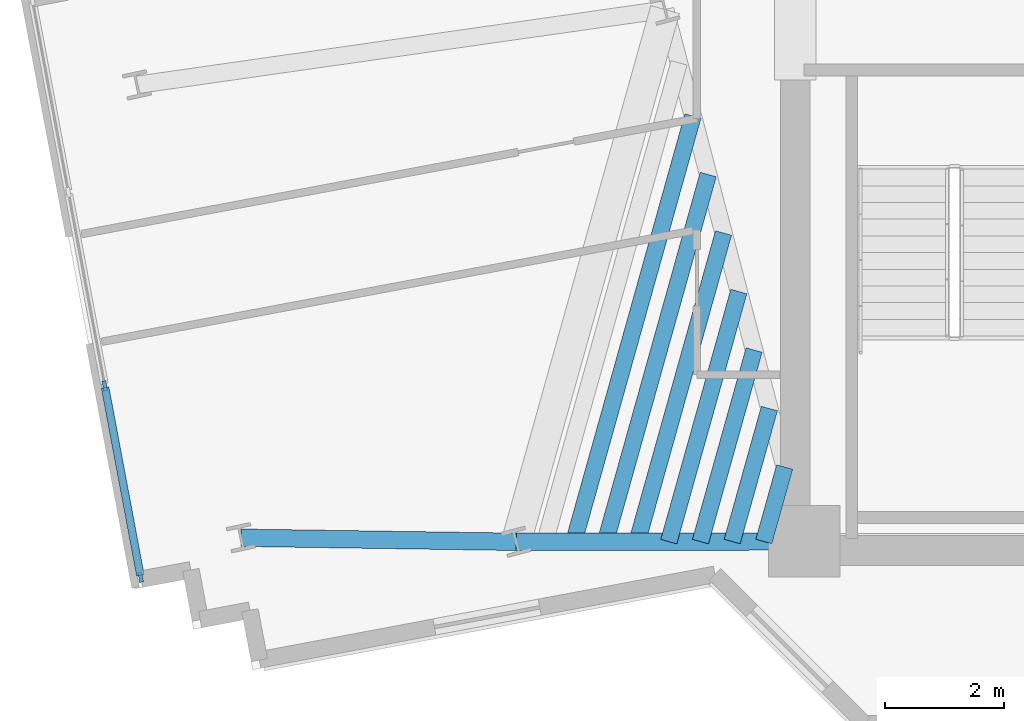
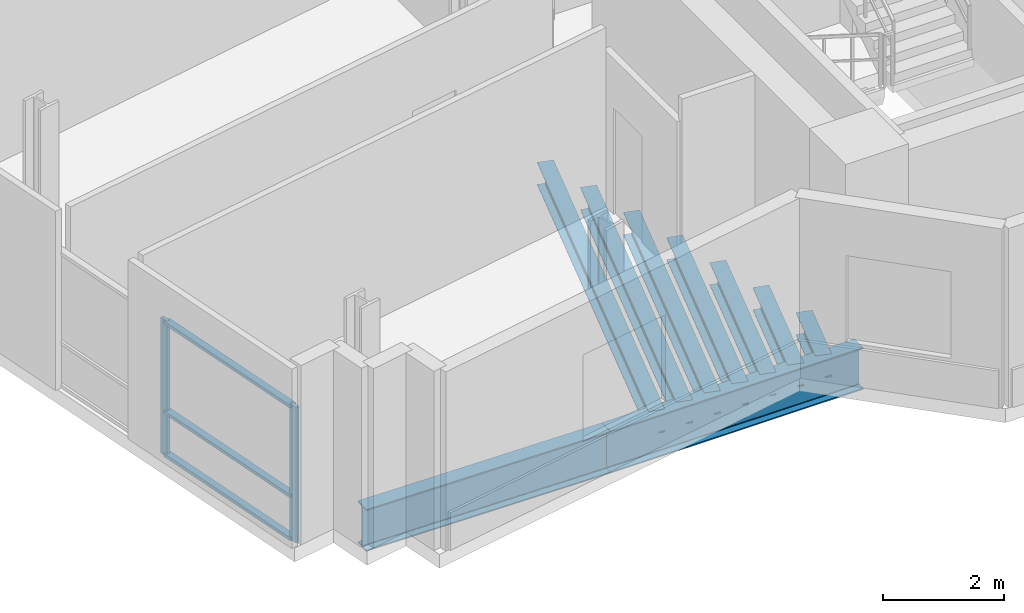
# One storey, part 2 of 16: 9 beams, 5 members, 1 element without a shape of its own.
"""IFC4 building model written with IfcOpenShell, lengths in metres."""

from ifc_helpers import new_model, si_unit, direction, frame, origin, origin_2d, place, context, subcontext, project, spatial, rectangle, i_section, extrude, source, transform, mapped, material, layer, layer_set, material_profile, profile_set, type_object, element, aggregate, save


model = new_model("IFC4")

# Units and contexts
model_context = context("Model", 3, precision=1e-05, world=origin(), true_north=direction((0.0, 1.0)))
body_context = subcontext(model_context, "Body", "Model", "MODEL_VIEW")
ifc_project = project(units=[si_unit("LENGTHUNIT", "METRE"), si_unit("AREAUNIT", "SQUARE_METRE"), si_unit("VOLUMEUNIT", "CUBIC_METRE"), si_unit("PLANEANGLEUNIT", "RADIAN"), si_unit("MASSUNIT", "GRAM", prefix="KILO")], contexts=[model_context])

# Site, building, storey
site_placement = place(None, origin())
site = spatial("IfcSite", under=ifc_project, at=site_placement, CompositionType="ELEMENT")
building_placement = place(site_placement, origin())
building = spatial("IfcBuilding", under=site, at=building_placement, Name="Zahravan Cultural Tower", CompositionType="ELEMENT")
storey_placement = place(building_placement, frame((0.0, 0.0, 147.300048828125)))
storey = spatial("IfcBuildingStorey", under=building, at=storey_placement, Name="L33", CompositionType="ELEMENT", Elevation=147.300048828125)

# Beams
ifc_material_1 = material(Name="Steel ASTM A992 Grade 50", Category="steel")
ifc_material_profile_1 = material_profile(ifc_material_1, i_section(OverallWidth=0.29296875, OverallDepth=0.845947265625, WebThickness=0.015380859375, FlangeThickness=0.0244140625, FilletRadius=0.02001953125, at=origin_2d()), Name="W33X141")
ifc_profile_set_1 = profile_set([ifc_material_profile_1], Name="Steel ASTM A992 Grade 50")
beam_type_1 = type_object("IfcBeamType", Name="BM-G-W33X141", PredefinedType="BEAM", material=ifc_profile_set_1)
shared_shape_1 = source(origin(), body_context, "Body", "SweptSolid", [
    extrude(i_section(OverallWidth=0.29296875, OverallDepth=0.845947265625, WebThickness=0.015380859375, FlangeThickness=0.0244140625, FilletRadius=0.02001953125, at=origin_2d()), origin(), (0.0, 0.0, 1.0), 4.834716796875),
])
beam_1_placement = place(storey_placement, frame((21.64990234375, 17.800048828125, -0.703125), z_axis=(-0.99999920313, -0.001262433979, 0.0), x_axis=(0.001262433979, -0.99999920313, 0.0)))
element("IfcBeam", 1, at=beam_1_placement, inside=storey, type_object=beam_type_1, Name="L33 Beam BG-L33-08", PredefinedType="BEAM", context=body_context, shape_type="MappedRepresentation", body=[
    mapped(shared_shape_1, transform((0.0, 0.0, 0.0), x_axis=(1.0, 0.0, 0.0), y_axis=(0.0, 1.0, 0.0), z_axis=(0.0, 0.0, 1.0), scale=1.0)),
])
shared_shape_2 = source(origin(), body_context, "Body", "SweptSolid", [
    extrude(i_section(OverallWidth=0.29296875, OverallDepth=0.845947265625, WebThickness=0.015380859375, FlangeThickness=0.0244140625, FilletRadius=0.02001953125, at=origin_2d()), origin(), (0.0, 0.0, 1.0), 4.622314453125),
])
beam_2_placement = place(storey_placement, frame((16.815185546875, 17.7939453125, -0.703125), z_axis=(-0.999889070044, 0.014894549562, 0.0), x_axis=(-0.014894549562, -0.999889070044, 0.0)))
element("IfcBeam", 2, at=beam_2_placement, inside=storey, type_object=beam_type_1, Name="L33 Beam BG-L33-18", PredefinedType="BEAM", context=body_context, shape_type="MappedRepresentation", body=[
    mapped(shared_shape_2, transform((0.0, 0.0, 0.0), x_axis=(1.0, 0.0, 0.0), y_axis=(0.0, 1.0, 0.0), z_axis=(0.0, 0.0, 1.0), scale=1.0)),
])
ifc_material_profile_2 = material_profile(ifc_material_1, i_section(OverallWidth=0.280029296875, OverallDepth=0.462890625, WebThickness=0.0107421875, FlangeThickness=0.017333984375, FilletRadius=0.012939453125, at=origin_2d()), Name="W18X76")
ifc_profile_set_2 = profile_set([ifc_material_profile_2], Name="Steel ASTM A992 Grade 50")
beam_type_2 = type_object("IfcBeamType", Name="BM-J-W18X76", PredefinedType="JOIST", material=ifc_profile_set_2)
shared_shape_3 = source(origin(), body_context, "Body", "SweptSolid", [
    extrude(i_section(OverallWidth=0.280029296875, OverallDepth=0.462890625, WebThickness=0.0107421875, FlangeThickness=0.017333984375, FilletRadius=0.012939453125, at=origin_2d()), origin(), (0.0, 0.0, 1.0), 1.299072265625),
])
beam_3_placement = place(storey_placement, frame((21.3232421875, 19.050048828125, -0.511474609375), z_axis=(-0.269504444708, -0.962999145525, 0.0), x_axis=(0.962999145525, -0.269504444708, 0.0)))
element("IfcBeam", 3, at=beam_3_placement, inside=storey, type_object=beam_type_2, Name="L33 Beam BJ-L33-26", PredefinedType="JOIST", context=body_context, shape_type="MappedRepresentation", body=[
    mapped(shared_shape_3, transform((0.0, 0.0, 0.0), x_axis=(1.0, 0.0, 0.0), y_axis=(0.0, 1.0, 0.0), z_axis=(0.0, 0.0, 1.0), scale=1.0)),
])
shared_shape_4 = source(origin(), body_context, "Body", "SweptSolid", [
    extrude(i_section(OverallWidth=0.280029296875, OverallDepth=0.462890625, WebThickness=0.0107421875, FlangeThickness=0.017333984375, FilletRadius=0.012939453125, at=origin_2d()), origin(), (0.0, 0.0, 1.0), 2.3193359375),
])
beam_4_placement = place(storey_placement, frame((21.06640625, 20.0322265625, -0.511474609375), z_axis=(-0.269462038626, -0.963011012263, 0.0), x_axis=(0.963011012263, -0.269462038626, 0.0)))
element("IfcBeam", 4, at=beam_4_placement, inside=storey, type_object=beam_type_2, Name="L33 Beam BJ-L33-27", PredefinedType="JOIST", context=body_context, shape_type="MappedRepresentation", body=[
    mapped(shared_shape_4, transform((0.0, 0.0, 0.0), x_axis=(1.0, 0.0, 0.0), y_axis=(0.0, 1.0, 0.0), z_axis=(0.0, 0.0, 1.0), scale=1.0)),
])
shared_shape_5 = source(origin(), body_context, "Body", "SweptSolid", [
    extrude(i_section(OverallWidth=0.280029296875, OverallDepth=0.462890625, WebThickness=0.0107421875, FlangeThickness=0.017333984375, FilletRadius=0.012939453125, at=origin_2d()), origin(), (0.0, 0.0, 1.0), 3.340087890625),
])
beam_5_placement = place(storey_placement, frame((20.809814453125, 21.014404296875, -0.511474609375), z_axis=(-0.269562146951, -0.962982995141, 0.0), x_axis=(0.962982995141, -0.269562146951, 0.0)))
element("IfcBeam", 5, at=beam_5_placement, inside=storey, type_object=beam_type_2, Name="L33 Beam BJ-L33-28", PredefinedType="JOIST", context=body_context, shape_type="MappedRepresentation", body=[
    mapped(shared_shape_5, transform((0.0, 0.0, 0.0), x_axis=(1.0, 0.0, 0.0), y_axis=(0.0, 1.0, 0.0), z_axis=(0.0, 0.0, 1.0), scale=1.0)),
])
shared_shape_6 = source(origin(), body_context, "Body", "SweptSolid", [
    extrude(i_section(OverallWidth=0.280029296875, OverallDepth=0.462890625, WebThickness=0.0107421875, FlangeThickness=0.017333984375, FilletRadius=0.012939453125, at=origin_2d()), origin(), (0.0, 0.0, 1.0), 4.36083984375),
])
beam_6_placement = place(storey_placement, frame((20.552978515625, 21.99658203125, -0.511474609375), z_axis=(-0.269511557673, -0.962997154866, 0.0), x_axis=(0.962997154866, -0.269511557673, 0.0)))
element("IfcBeam", 6, at=beam_6_placement, inside=storey, type_object=beam_type_2, Name="L33 Beam BJ-L33-29", PredefinedType="JOIST", context=body_context, shape_type="MappedRepresentation", body=[
    mapped(shared_shape_6, transform((0.0, 0.0, 0.0), x_axis=(1.0, 0.0, 0.0), y_axis=(0.0, 1.0, 0.0), z_axis=(0.0, 0.0, 1.0), scale=1.0)),
])
shared_shape_7 = source(origin(), body_context, "Body", "SweptSolid", [
    extrude(i_section(OverallWidth=0.280029296875, OverallDepth=0.462890625, WebThickness=0.0107421875, FlangeThickness=0.017333984375, FilletRadius=0.012939453125, at=origin_2d()), origin(), (0.0, 0.0, 1.0), 5.3818359375),
])
beam_7_placement = place(storey_placement, frame((20.296142578125, 22.97900390625, -0.511474609375), z_axis=(-0.269510454638, -0.962997463569, 0.0), x_axis=(0.962997463569, -0.269510454638, 0.0)))
element("IfcBeam", 7, at=beam_7_placement, inside=storey, type_object=beam_type_2, Name="L33 Beam BJ-L33-30", PredefinedType="JOIST", context=body_context, shape_type="MappedRepresentation", body=[
    mapped(shared_shape_7, transform((0.0, 0.0, 0.0), x_axis=(1.0, 0.0, 0.0), y_axis=(0.0, 1.0, 0.0), z_axis=(0.0, 0.0, 1.0), scale=1.0)),
])
shared_shape_8 = source(origin(), body_context, "Body", "SweptSolid", [
    extrude(i_section(OverallWidth=0.280029296875, OverallDepth=0.462890625, WebThickness=0.0107421875, FlangeThickness=0.017333984375, FilletRadius=0.012939453125, at=origin_2d()), origin(), (0.0, 0.0, 1.0), 6.402099609375),
])
beam_8_placement = place(storey_placement, frame((20.039306640625, 23.961181640625, -0.511474609375), z_axis=(-0.269494133533, -0.963002031146, 0.0), x_axis=(0.963002031146, -0.269494133533, 0.0)))
element("IfcBeam", 8, at=beam_8_placement, inside=storey, type_object=beam_type_2, Name="L33 Beam BJ-L33-31", PredefinedType="JOIST", context=body_context, shape_type="MappedRepresentation", body=[
    mapped(shared_shape_8, transform((0.0, 0.0, 0.0), x_axis=(1.0, 0.0, 0.0), y_axis=(0.0, 1.0, 0.0), z_axis=(0.0, 0.0, 1.0), scale=1.0)),
])
shared_shape_9 = source(origin(), body_context, "Body", "SweptSolid", [
    extrude(i_section(OverallWidth=0.280029296875, OverallDepth=0.462890625, WebThickness=0.0107421875, FlangeThickness=0.017333984375, FilletRadius=0.012939453125, at=origin_2d()), origin(), (0.0, 0.0, 1.0), 7.4228515625),
])
beam_9_placement = place(storey_placement, frame((19.78271484375, 24.943359375, -0.511474609375), z_axis=(-0.269504266128, -0.962999195503, 0.0), x_axis=(0.962999195503, -0.269504266128, 0.0)))
element("IfcBeam", 9, at=beam_9_placement, inside=storey, type_object=beam_type_2, Name="L33 Beam BJ-L33-32", PredefinedType="JOIST", context=body_context, shape_type="MappedRepresentation", body=[
    mapped(shared_shape_9, transform((0.0, 0.0, 0.0), x_axis=(1.0, 0.0, 0.0), y_axis=(0.0, 1.0, 0.0), z_axis=(0.0, 0.0, 1.0), scale=1.0)),
])

# Curtain wall, members
ifc_material_2 = material(Name="Anodised bronze-aluminium mullion", Category="aluminium")
ifc_layer = layer(ifc_material_2, 0.1650390625)
ifc_layer_set = layer_set([ifc_layer], Name="Anodised bronze-aluminium mullion")
curtain_wall_type = type_object("IfcCurtainWallType", Name="CW-SYS-4", PredefinedType="USERDEFINED", material=ifc_layer_set)
curtain_wall_placement = place(storey_placement, origin())
curtain_wall = element("IfcCurtainWall", 10, at=curtain_wall_placement, inside=storey, type_object=curtain_wall_type, Name="L33 Recessed Curtain Wall CW-4.2", ObjectType="RECESSED GLAZING", PredefinedType="USERDEFINED")
ifc_material_profile_3 = material_profile(ifc_material_2, rectangle(XDim=0.06494140625, YDim=0.1650390625, at=origin_2d()), Name="AL-M65X165")
ifc_profile_set_3 = profile_set([ifc_material_profile_3], Name="Anodised bronze-aluminium mullion")
member_type_1 = type_object("IfcMemberType", Name="CWM-CW-4", PredefinedType="MULLION", material=ifc_profile_set_3)
shared_shape_10 = source(origin(), body_context, "Body", "SweptSolid", [
    extrude(rectangle(XDim=0.06494140625, YDim=0.1650390625, at=origin_2d()), origin(), (0.0, 0.0, 1.0), 2.739990234375),
])
member_1_placement = place(storey_placement, frame((10.51171875, 17.19775390625, 0.0), z_axis=(0.0, 0.0, 1.0), x_axis=(-0.982806619389, -0.184637885835, 0.0)))
member_1 = element("IfcMember", 11, at=member_1_placement, type_object=member_type_1, Name="CW-4 mullion 1", PredefinedType="MULLION", context=body_context, shape_type="MappedRepresentation", body=[
    mapped(shared_shape_10, transform((0.0, 0.0, 0.0), x_axis=(1.0, 0.0, 0.0), y_axis=(0.0, 1.0, 0.0), z_axis=(0.0, 0.0, 1.0), scale=1.0)),
])
member_2_placement = place(storey_placement, frame((9.906982421875, 20.415771484375, 0.0), z_axis=(0.0, 0.0, 1.0), x_axis=(-0.982806619389, -0.184637885835, 0.0)))
member_2 = element("IfcMember", 12, at=member_2_placement, type_object=member_type_1, Name="CW-4 mullion 2", PredefinedType="MULLION", context=body_context, shape_type="MappedRepresentation", body=[
    mapped(shared_shape_10, transform((0.0, 0.0, 0.0), x_axis=(1.0, 0.0, 0.0), y_axis=(0.0, 1.0, 0.0), z_axis=(0.0, 0.0, 1.0), scale=1.0)),
])
ifc_material_profile_4 = material_profile(ifc_material_2, rectangle(XDim=0.1298828125, YDim=0.06494140625, at=origin_2d()), Name="AL-T65X130")
ifc_profile_set_4 = profile_set([ifc_material_profile_4], Name="Anodised bronze-aluminium mullion")
member_type_2 = type_object("IfcMemberType", Name="CWT-CW-4", PredefinedType="USERDEFINED", material=ifc_profile_set_4)
shared_shape_11 = source(origin(), body_context, "Body", "SweptSolid", [
    extrude(rectangle(XDim=0.1298828125, YDim=0.06494140625, at=origin_2d()), origin(), (0.0, 0.0, 1.0), 3.209228515625),
])
member_3_placement = place(storey_placement, frame((10.505615234375, 17.229736328125, 0.032470703125), z_axis=(-0.184633012408, 0.982807534937, 0.0), x_axis=(-0.982807534937, -0.184633012408, 0.0)))
member_3 = element("IfcMember", 13, at=member_3_placement, type_object=member_type_2, Name="CW-4 transom 1.1", ObjectType="TRANSOM", PredefinedType="USERDEFINED", context=body_context, shape_type="MappedRepresentation", body=[
    mapped(shared_shape_11, transform((0.0, 0.0, 0.0), x_axis=(1.0, 0.0, 0.0), y_axis=(0.0, 1.0, 0.0), z_axis=(0.0, 0.0, 1.0), scale=1.0)),
])
member_4_placement = place(storey_placement, frame((10.505615234375, 17.229736328125, 0.89990234375), z_axis=(-0.184633012408, 0.982807534937, 0.0), x_axis=(-0.982807534937, -0.184633012408, 0.0)))
member_4 = element("IfcMember", 14, at=member_4_placement, type_object=member_type_2, Name="CW-4 transom 1.2", ObjectType="TRANSOM", PredefinedType="USERDEFINED", context=body_context, shape_type="MappedRepresentation", body=[
    mapped(shared_shape_11, transform((0.0, 0.0, 0.0), x_axis=(1.0, 0.0, 0.0), y_axis=(0.0, 1.0, 0.0), z_axis=(0.0, 0.0, 1.0), scale=1.0)),
])
member_5_placement = place(storey_placement, frame((10.505615234375, 17.229736328125, 2.70751953125), z_axis=(-0.184633012408, 0.982807534937, 0.0), x_axis=(-0.982807534937, -0.184633012408, 0.0)))
member_5 = element("IfcMember", 15, at=member_5_placement, type_object=member_type_2, Name="CW-4 transom 1.3", ObjectType="TRANSOM", PredefinedType="USERDEFINED", context=body_context, shape_type="MappedRepresentation", body=[
    mapped(shared_shape_11, transform((0.0, 0.0, 0.0), x_axis=(1.0, 0.0, 0.0), y_axis=(0.0, 1.0, 0.0), z_axis=(0.0, 0.0, 1.0), scale=1.0)),
])
aggregate(curtain_wall, [member_1, member_2, member_3, member_4, member_5])

save(model, "model.ifc")
